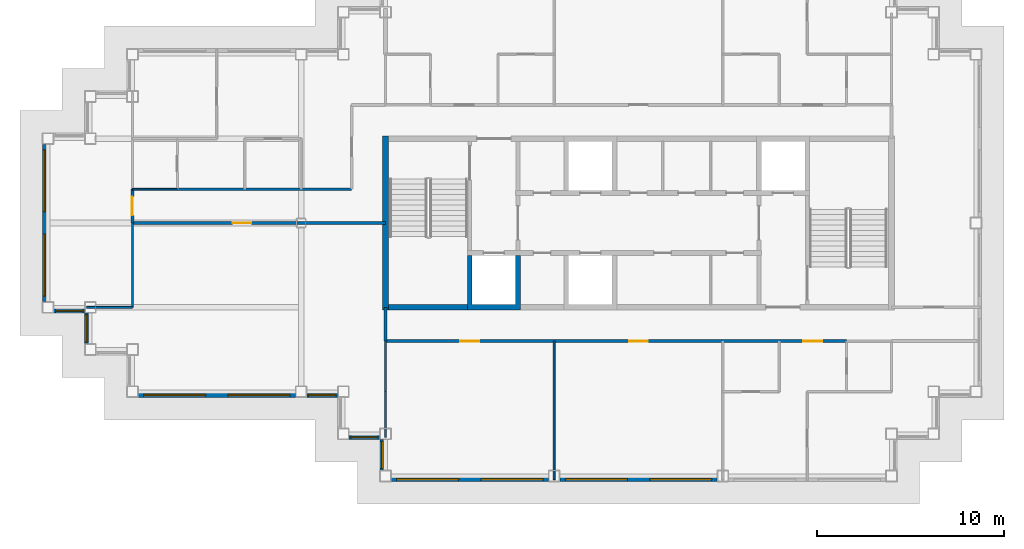
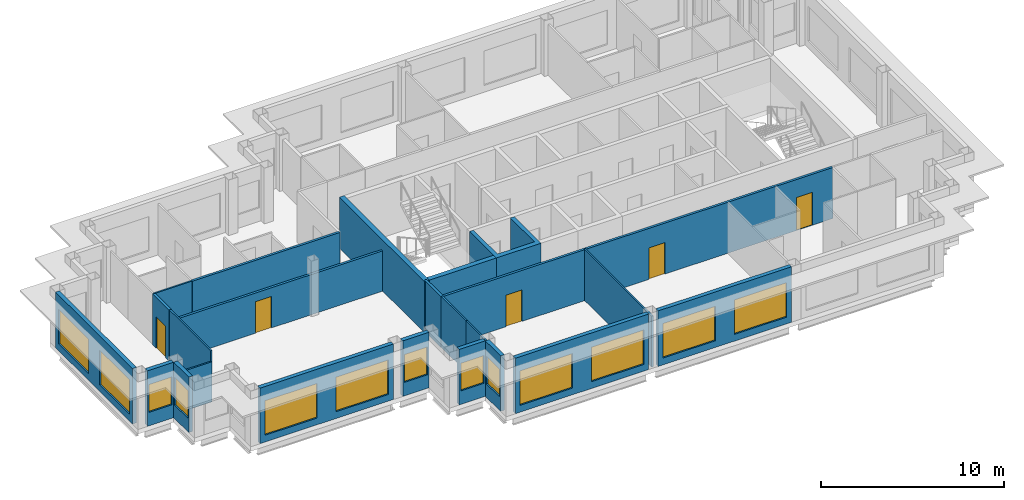
# One storey, part 2 of 11: 23 walls, 13 windows, 5 doors, 18 openings.
"""IFC4 building model written with IfcOpenShell, lengths in metres."""

from ifc_helpers import new_model, si_unit, direction, frame, frame_2d, origin, place, context, subcontext, project, spatial, polyline, rectangle, outline, extrude, material, layer, layer_set, type_object, element, fill, save


model = new_model("IFC4")

# Units and contexts
model_context = context("Model", 3, precision=1e-05, world=origin(), true_north=direction((0.0, 1.0)))
body_context = subcontext(model_context, "Body", "Model", "MODEL_VIEW")
ifc_project = project(units=[si_unit("LENGTHUNIT", "METRE"), si_unit("AREAUNIT", "SQUARE_METRE"), si_unit("VOLUMEUNIT", "CUBIC_METRE"), si_unit("PLANEANGLEUNIT", "RADIAN"), si_unit("MASSUNIT", "GRAM", prefix="KILO")], contexts=[model_context])

# Site, building, storey
site_placement = place(None, origin())
site = spatial("IfcSite", under=ifc_project, at=site_placement, CompositionType="ELEMENT")
building_placement = place(site_placement, origin())
building = spatial("IfcBuilding", under=site, at=building_placement, Name="Caravel Reach Hotel and Residences", CompositionType="ELEMENT")
storey_placement = place(building_placement, frame((0.0, 0.0, 260.10009765625)))
storey = spatial("IfcBuildingStorey", under=building, at=storey_placement, Name="L66", CompositionType="ELEMENT", Elevation=260.10009765625)

# Walls
ifc_material_1 = material(Name="Gypsum board on steel stud", Category="steel")
ifc_layer_1 = layer(ifc_material_1, 0.10009765625)
ifc_layer_set_1 = layer_set([ifc_layer_1], Name="Bathroom pod wall 100 mm")
wall_type_1 = type_object("IfcWallType", Name="Bathroom pod wall 100 mm", PredefinedType="PARTITIONING", material=ifc_layer_set_1)
wall_1_placement = place(storey_placement, frame((4.5, 28.800048828125, 0.0), z_axis=(0.0, 0.0, 1.0), x_axis=(1.0, 0.0, 0.0)))
element("IfcWall", 1, at=wall_1_placement, inside=storey, type_object=wall_type_1, Name="L66 wall w052", PredefinedType="PARTITIONING", context=body_context, shape_type="SweptSolid", body=[
    extrude(rectangle(XDim=2.39990234375, YDim=0.10009765625, at=frame_2d((1.199951171875, 0.0))), origin(), (0.0, 0.0, 1.0), 3.39990234375),
])
ifc_material_2 = material(Name="Concrete C60", Category="concrete")
ifc_layer_2 = layer(ifc_material_2, 0.300048828125)
ifc_layer_set_2 = layer_set([ifc_layer_2], Name="Core wall 300 mm EI 120")
wall_type_2 = type_object("IfcWallType", Name="Core wall 300 mm EI 120", PredefinedType="SHEAR", material=ifc_layer_set_2)
wall_2_placement = place(storey_placement, frame((18.14990234375, 22.5, 0.0), z_axis=(0.0, 0.0, 1.0), x_axis=(1.0, 0.0, 0.0)))
element("IfcWall", 2, at=wall_2_placement, inside=storey, type_object=wall_type_2, Name="L66 core wall S1", PredefinedType="SHEAR", context=body_context, shape_type="SweptSolid", body=[
    extrude(rectangle(XDim=4.22509765625, YDim=0.300048828125, at=frame_2d((2.112548828125, 0.0))), origin(), (0.0, 0.0, 1.0), 3.39990234375),
])
wall_3_placement = place(storey_placement, frame((18.0, 22.35009765625, 0.0), z_axis=(0.0, 0.0, 1.0), x_axis=(0.0, 1.0, 0.0)))
element("IfcWall", 3, at=wall_3_placement, inside=storey, type_object=wall_type_2, Name="L66 core wall W", PredefinedType="SHEAR", context=body_context, shape_type="SweptSolid", body=[
    extrude(rectangle(XDim=9.2998046875, YDim=0.300048828125, at=frame_2d((4.64990234375, 0.0))), origin(), (0.0, 0.0, 1.0), 3.39990234375),
])

# Wall, openings, doors
ifc_material_3 = material(Name="Gypsum board on steel stud, fire-rated", Category="steel")
ifc_layer_3 = layer(ifc_material_3, 0.14990234375)
ifc_layer_set_3 = layer_set([ifc_layer_3], Name="Corridor wall 150 mm EI 60")
wall_type_3 = type_object("IfcWallType", Name="Corridor wall 150 mm EI 60", PredefinedType="PARTITIONING", material=ifc_layer_set_3)
wall_4_placement = place(storey_placement, frame((18.0, 20.699951171875, 0.0), z_axis=(0.0, 0.0, 1.0), x_axis=(1.0, 0.0, 0.0)))
wall_4 = element("IfcWall", 4, at=wall_4_placement, inside=storey, type_object=wall_type_3, Name="L66 wall w001", PredefinedType="PARTITIONING", context=body_context, shape_type="SweptSolid", body=[
    extrude(rectangle(XDim=24.60009765625, YDim=0.14990234375, at=frame_2d((12.300048828125, 0.0))), origin(), (0.0, 0.0, 1.0), 3.39990234375),
])
opening_1_placement = place(wall_4_placement, frame((4.0, 0.0, 0.0)))
opening_1 = element("IfcOpeningElement", 5, at=opening_1_placement, cuts=wall_4, Name="Opening D66-031", PredefinedType="OPENING", context=body_context, shape_type="SweptSolid", body=[
    extrude(rectangle(XDim=1.0, YDim=2.10009765625, at=frame_2d((0.5, 1.050048828125))), frame((0.0, 0.0849609375, 0.0), z_axis=(0.0, -1.0, 0.0), x_axis=(1.0, 0.0, 0.0)), (0.0, 0.0, 1.0), 0.169921875),
])
opening_2_placement = place(wall_4_placement, frame((13.0, 0.0, 0.0)))
opening_2 = element("IfcOpeningElement", 6, at=opening_2_placement, cuts=wall_4, Name="Opening D66-032", PredefinedType="OPENING", context=body_context, shape_type="SweptSolid", body=[
    extrude(rectangle(XDim=1.0, YDim=2.10009765625, at=frame_2d((0.5, 1.050048828125))), frame((0.0, 0.0849609375, 0.0), z_axis=(0.0, -1.0, 0.0), x_axis=(1.0, 0.0, 0.0)), (0.0, 0.0, 1.0), 0.169921875),
])
opening_3_placement = place(wall_4_placement, frame((22.300048828125, 0.0, 0.0)))
opening_3 = element("IfcOpeningElement", 7, at=opening_3_placement, cuts=wall_4, Name="Opening D66-033", PredefinedType="OPENING", context=body_context, shape_type="SweptSolid", body=[
    extrude(rectangle(XDim=1.0, YDim=2.199951171875, at=frame_2d((0.5, 1.10009765625))), frame((0.0, 0.0849609375, 0.0), z_axis=(0.0, -1.0, 0.0), x_axis=(1.0, 0.0, 0.0)), (0.0, 0.0, 1.0), 0.169921875),
])
ifc_material_4 = material(Name="Steel fire door leaf", Category="steel")
door_type_1 = type_object("IfcDoorType", Name="Fire door 1000 x 2100 EI 60", OperationType="SINGLE_SWING_LEFT", PredefinedType="DOOR", material=ifc_material_4)
door_1_placement = place(opening_1_placement, origin())
door_1 = element("IfcDoor", 8, at=door_1_placement, inside=storey, type_object=door_type_1, Name="door D66-031", OperationType="SINGLE_SWING_LEFT", OverallHeight=2.10009765625, OverallWidth=1.0, PredefinedType="DOOR", context=body_context, shape_type="SweptSolid", body=[
    extrude(rectangle(XDim=1.0, YDim=2.10009765625, at=frame_2d((0.5, 1.050048828125))), frame((0.0, 0.02490234375, 0.0), z_axis=(0.0, -1.0, 0.0), x_axis=(1.0, 0.0, 0.0)), (0.0, 0.0, 1.0), 0.050048828125),
])
fill(opening_1, door_1)
door_2_placement = place(opening_2_placement, origin())
door_2 = element("IfcDoor", 9, at=door_2_placement, inside=storey, type_object=door_type_1, Name="door D66-032", OperationType="SINGLE_SWING_LEFT", OverallHeight=2.10009765625, OverallWidth=1.0, PredefinedType="DOOR", context=body_context, shape_type="SweptSolid", body=[
    extrude(rectangle(XDim=1.0, YDim=2.10009765625, at=frame_2d((0.5, 1.050048828125))), frame((0.0, 0.02490234375, 0.0), z_axis=(0.0, -1.0, 0.0), x_axis=(1.0, 0.0, 0.0)), (0.0, 0.0, 1.0), 0.050048828125),
])
fill(opening_2, door_2)
ifc_material_5 = material(Name="Steel fire door leaf", Category="steel")
door_type_2 = type_object("IfcDoorType", Name="Flat entrance door 1000 x 2200 EI 60", OperationType="SINGLE_SWING_LEFT", PredefinedType="DOOR", material=ifc_material_5)
door_3_placement = place(opening_3_placement, origin())
door_3 = element("IfcDoor", 10, at=door_3_placement, inside=storey, type_object=door_type_2, Name="door D66-033", OperationType="SINGLE_SWING_LEFT", OverallHeight=2.199951171875, OverallWidth=1.0, PredefinedType="DOOR", context=body_context, shape_type="SweptSolid", body=[
    extrude(rectangle(XDim=1.0, YDim=2.199951171875, at=frame_2d((0.5, 1.10009765625))), frame((0.0, 0.02490234375, 0.0), z_axis=(0.0, -1.0, 0.0), x_axis=(1.0, 0.0, 0.0)), (0.0, 0.0, 1.0), 0.050048828125),
])
fill(opening_3, door_3)

# Wall, opening, door
wall_5_placement = place(storey_placement, frame((4.5, 27.0, 0.0), z_axis=(0.0, 0.0, 1.0), x_axis=(1.0, 0.0, 0.0)))
wall_5 = element("IfcWall", 11, at=wall_5_placement, inside=storey, type_object=wall_type_3, Name="L66 wall w007", PredefinedType="PARTITIONING", context=body_context, shape_type="SweptSolid", body=[
    extrude(rectangle(XDim=13.5, YDim=0.14990234375, at=frame_2d((6.75, 0.0))), origin(), (0.0, 0.0, 1.0), 2.679931640625),
])
opening_4_placement = place(wall_5_placement, frame((5.35009765625, 0.0, 0.0)))
opening_4 = element("IfcOpeningElement", 12, at=opening_4_placement, cuts=wall_5, Name="Opening D66-030", PredefinedType="OPENING", context=body_context, shape_type="SweptSolid", body=[
    extrude(rectangle(XDim=1.0, YDim=2.10009765625, at=frame_2d((0.5, 1.050048828125))), frame((0.0, 0.0849609375, 0.0), z_axis=(0.0, -1.0, 0.0), x_axis=(1.0, 0.0, 0.0)), (0.0, 0.0, 1.0), 0.169921875),
])
door_4_placement = place(opening_4_placement, origin())
door_4 = element("IfcDoor", 13, at=door_4_placement, inside=storey, type_object=door_type_1, Name="door D66-030", OperationType="SINGLE_SWING_LEFT", OverallHeight=2.10009765625, OverallWidth=1.0, PredefinedType="DOOR", context=body_context, shape_type="SweptSolid", body=[
    extrude(rectangle(XDim=1.0, YDim=2.10009765625, at=frame_2d((0.5, 1.050048828125))), frame((0.0, 0.02490234375, 0.0), z_axis=(0.0, -1.0, 0.0), x_axis=(1.0, 0.0, 0.0)), (0.0, 0.0, 1.0), 0.050048828125),
])
fill(opening_4, door_4)

# Walls
wall_6_placement = place(storey_placement, frame((6.89990234375, 28.800048828125, 0.0), z_axis=(0.0, 0.0, 1.0), x_axis=(1.0, 0.0, 0.0)))
element("IfcWall", 14, at=wall_6_placement, inside=storey, type_object=wall_type_3, Name="L66 wall w008", PredefinedType="PARTITIONING", context=body_context, shape_type="SweptSolid", body=[
    extrude(rectangle(XDim=9.299072265625, YDim=0.14990234375, at=frame_2d((4.6494140625, 0.0))), origin(), (0.0, 0.0, 1.0), 3.39990234375),
])
wall_7_placement = place(storey_placement, frame((18.0, 20.699951171875, 0.0), z_axis=(0.0, 0.0, 1.0), x_axis=(0.0, 1.0, 0.0)))
element("IfcWall", 15, at=wall_7_placement, inside=storey, type_object=wall_type_3, Name="L66 wall w018", PredefinedType="PARTITIONING", context=body_context, shape_type="SweptSolid", body=[
    extrude(rectangle(XDim=1.800048828125, YDim=0.14990234375, at=frame_2d((0.89990234375, 0.0))), origin(), (0.0, 0.0, 1.0), 3.39990234375),
])

# Wall, opening, door
wall_8_placement = place(storey_placement, frame((4.5, 27.0, 0.0), z_axis=(0.0, 0.0, 1.0), x_axis=(0.0, 1.0, 0.0)))
wall_8 = element("IfcWall", 16, at=wall_8_placement, inside=storey, type_object=wall_type_3, Name="L66 wall w019", PredefinedType="PARTITIONING", context=body_context, shape_type="SweptSolid", body=[
    extrude(rectangle(XDim=1.800048828125, YDim=0.14990234375, at=frame_2d((0.89990234375, 0.0))), origin(), (0.0, 0.0, 1.0), 3.39990234375),
])
opening_5_placement = place(wall_8_placement, frame((0.39990234375, 0.0, 0.0)))
opening_5 = element("IfcOpeningElement", 17, at=opening_5_placement, cuts=wall_8, Name="Opening D66-037", PredefinedType="OPENING", context=body_context, shape_type="SweptSolid", body=[
    extrude(rectangle(XDim=1.0, YDim=2.10009765625, at=frame_2d((0.5, 1.050048828125))), frame((0.0, 0.0849609375, 0.0), z_axis=(0.0, -1.0, 0.0), x_axis=(1.0, 0.0, 0.0)), (0.0, 0.0, 1.0), 0.169921875),
])
door_5_placement = place(opening_5_placement, origin())
door_5 = element("IfcDoor", 18, at=door_5_placement, inside=storey, type_object=door_type_1, Name="door D66-037", OperationType="SINGLE_SWING_RIGHT", OverallHeight=2.10009765625, OverallWidth=1.0, PredefinedType="DOOR", context=body_context, shape_type="SweptSolid", body=[
    extrude(rectangle(XDim=1.0, YDim=2.10009765625, at=frame_2d((0.5, 1.050048828125))), frame((0.0, 0.02490234375, 0.0), z_axis=(0.0, -1.0, 0.0), x_axis=(1.0, 0.0, 0.0)), (0.0, 0.0, 1.0), 0.050048828125),
])
fill(opening_5, door_5)

# Wall, opening, window
ifc_material_6 = material(Name="Insulated rainscreen wall, aluminium cladding", Category="aluminium")
ifc_layer_4 = layer(ifc_material_6, 0.25)
ifc_layer_set_4 = layer_set([ifc_layer_4], Name="EW1 Tower rainscreen wall")
wall_type_4 = type_object("IfcWallType", Name="EW1 Tower rainscreen wall", PredefinedType="SOLIDWALL", material=ifc_layer_set_4)
wall_9_placement = place(storey_placement, frame((16.050048828125, 15.574951171875, 0.0), z_axis=(0.0, 0.0, 1.0), x_axis=(1.0, 0.0, 0.0)))
wall_9 = element("IfcWall", 19, at=wall_9_placement, inside=storey, type_object=wall_type_4, Name="External wall L66 S2.1", PredefinedType="SOLIDWALL", context=body_context, shape_type="SweptSolid", body=[
    extrude(rectangle(XDim=1.64990234375, YDim=0.25, at=frame_2d((0.824951171875, 0.0))), origin(), (0.0, 0.0, 1.0), 3.699951171875),
])
opening_6_placement = place(wall_9_placement, frame((0.10009765625, 0.0, 0.89990234375)))
opening_6 = element("IfcOpeningElement", 20, at=opening_6_placement, cuts=wall_9, Name="Opening WN25", PredefinedType="OPENING", context=body_context, shape_type="SweptSolid", body=[
    extrude(rectangle(XDim=1.449951171875, YDim=1.85009765625, at=frame_2d((0.72509765625, 0.925048828125))), frame((0.0, 0.135009765625, 0.0), z_axis=(0.0, -1.0, 0.0), x_axis=(1.0, 0.0, 0.0)), (0.0, 0.0, 1.0), 0.27001953125),
])
ifc_material_7 = material(Name="Dark low-e glazing in black aluminium frame", Category="aluminium")
window_type_1 = type_object("IfcWindowType", Name="Residence bedroom window 1450 x 1850", PartitioningType="SINGLE_PANEL", PredefinedType="WINDOW", material=ifc_material_7)
window_1_placement = place(opening_6_placement, origin())
window_1 = element("IfcWindow", 21, at=window_1_placement, inside=storey, type_object=window_type_1, Name="Window L66 S2.1.1", OverallHeight=1.85009765625, OverallWidth=1.449951171875, PartitioningType="SINGLE_PANEL", PredefinedType="WINDOW", context=body_context, shape_type="SweptSolid", body=[
    extrude(rectangle(XDim=1.449951171875, YDim=1.85009765625, at=frame_2d((0.72509765625, 0.925048828125))), frame((0.0, 0.030029296875, 0.0), z_axis=(0.0, -1.0, 0.0), x_axis=(1.0, 0.0, 0.0)), (0.0, 0.0, 1.0), 0.06005859375),
])
fill(opening_6, window_1)

wall_10_placement = place(storey_placement, frame((17.824951171875, 15.449951171875, 0.0), z_axis=(0.0, 0.0, 1.0), x_axis=(0.0, -1.0, 0.0)))
wall_10 = element("IfcWall", 22, at=wall_10_placement, inside=storey, type_object=wall_type_4, Name="External wall L66 W3.1", PredefinedType="SOLIDWALL", context=body_context, shape_type="SweptSolid", body=[
    extrude(rectangle(XDim=1.64990234375, YDim=0.25, at=frame_2d((0.824951171875, 0.0))), origin(), (0.0, 0.0, 1.0), 3.699951171875),
])
opening_7_placement = place(wall_10_placement, frame((0.10009765625, 0.0, 0.89990234375)))
opening_7 = element("IfcOpeningElement", 23, at=opening_7_placement, cuts=wall_10, Name="Opening WN25", PredefinedType="OPENING", context=body_context, shape_type="SweptSolid", body=[
    extrude(rectangle(XDim=1.449951171875, YDim=1.85009765625, at=frame_2d((0.72509765625, 0.925048828125))), frame((0.0, 0.135009765625, 0.0), z_axis=(0.0, -1.0, 0.0), x_axis=(1.0, 0.0, 0.0)), (0.0, 0.0, 1.0), 0.27001953125),
])
window_2_placement = place(opening_7_placement, origin())
window_2 = element("IfcWindow", 24, at=window_2_placement, inside=storey, type_object=window_type_1, Name="Window L66 W3.1.1", OverallHeight=1.85009765625, OverallWidth=1.449951171875, PartitioningType="SINGLE_PANEL", PredefinedType="WINDOW", context=body_context, shape_type="SweptSolid", body=[
    extrude(rectangle(XDim=1.449951171875, YDim=1.85009765625, at=frame_2d((0.72509765625, 0.925048828125))), frame((0.0, 0.030029296875, 0.0), z_axis=(0.0, -1.0, 0.0), x_axis=(1.0, 0.0, 0.0)), (0.0, 0.0, 1.0), 0.06005859375),
])
fill(opening_7, window_2)

# Wall, openings, windows
wall_11_placement = place(storey_placement, frame((18.300048828125, 13.324951171875, 0.0), z_axis=(0.0, 0.0, 1.0), x_axis=(1.0, 0.0, 0.0)))
wall_11 = element("IfcWall", 25, at=wall_11_placement, inside=storey, type_object=wall_type_4, Name="External wall L66 S4.1", PredefinedType="SOLIDWALL", context=body_context, shape_type="SweptSolid", body=[
    extrude(rectangle(XDim=8.39990234375, YDim=0.25, at=frame_2d((4.199951171875, 0.0))), origin(), (0.0, 0.0, 1.0), 3.699951171875),
])
opening_8_placement = place(wall_11_placement, frame((0.300048828125, 0.0, 0.449951171875)))
opening_8 = element("IfcOpeningElement", 26, at=opening_8_placement, cuts=wall_11, Name="Opening WN15", PredefinedType="OPENING", context=body_context, shape_type="SweptSolid", body=[
    extrude(rectangle(XDim=3.300048828125, YDim=2.300048828125, at=frame_2d((1.64990234375, 1.14990234375))), frame((0.0, 0.135009765625, 0.0), z_axis=(0.0, -1.0, 0.0), x_axis=(1.0, 0.0, 0.0)), (0.0, 0.0, 1.0), 0.27001953125),
])
opening_9_placement = place(wall_11_placement, frame((4.800048828125, 0.0, 0.449951171875)))
opening_9 = element("IfcOpeningElement", 27, at=opening_9_placement, cuts=wall_11, Name="Opening WN15", PredefinedType="OPENING", context=body_context, shape_type="SweptSolid", body=[
    extrude(rectangle(XDim=3.300048828125, YDim=2.300048828125, at=frame_2d((1.64990234375, 1.14990234375))), frame((0.0, 0.135009765625, 0.0), z_axis=(0.0, -1.0, 0.0), x_axis=(1.0, 0.0, 0.0)), (0.0, 0.0, 1.0), 0.27001953125),
])
ifc_material_8 = material(Name="Dark low-e glazing in black aluminium frame", Category="aluminium")
window_type_2 = type_object("IfcWindowType", Name="Residence living window 3300 x 2300", PartitioningType="SINGLE_PANEL", PredefinedType="WINDOW", material=ifc_material_8)
window_3_placement = place(opening_8_placement, origin())
window_3 = element("IfcWindow", 28, at=window_3_placement, inside=storey, type_object=window_type_2, Name="Window L66 S4.1.1", OverallHeight=2.300048828125, OverallWidth=3.300048828125, PartitioningType="SINGLE_PANEL", PredefinedType="WINDOW", context=body_context, shape_type="SweptSolid", body=[
    extrude(rectangle(XDim=3.300048828125, YDim=2.300048828125, at=frame_2d((1.64990234375, 1.14990234375))), frame((0.0, 0.030029296875, 0.0), z_axis=(0.0, -1.0, 0.0), x_axis=(1.0, 0.0, 0.0)), (0.0, 0.0, 1.0), 0.06005859375),
])
fill(opening_8, window_3)
window_4_placement = place(opening_9_placement, origin())
window_4 = element("IfcWindow", 29, at=window_4_placement, inside=storey, type_object=window_type_2, Name="Window L66 S4.1.2", OverallHeight=2.300048828125, OverallWidth=3.300048828125, PartitioningType="SINGLE_PANEL", PredefinedType="WINDOW", context=body_context, shape_type="SweptSolid", body=[
    extrude(rectangle(XDim=3.300048828125, YDim=2.300048828125, at=frame_2d((1.64990234375, 1.14990234375))), frame((0.0, 0.030029296875, 0.0), z_axis=(0.0, -1.0, 0.0), x_axis=(1.0, 0.0, 0.0)), (0.0, 0.0, 1.0), 0.06005859375),
])
fill(opening_9, window_4)

wall_12_placement = place(storey_placement, frame((27.300048828125, 13.324951171875, 0.0), z_axis=(0.0, 0.0, 1.0), x_axis=(1.0, 0.0, 0.0)))
wall_12 = element("IfcWall", 30, at=wall_12_placement, inside=storey, type_object=wall_type_4, Name="External wall L66 S4.2", PredefinedType="SOLIDWALL", context=body_context, shape_type="SweptSolid", body=[
    extrude(rectangle(XDim=8.39990234375, YDim=0.25, at=frame_2d((4.199951171875, 0.0))), origin(), (0.0, 0.0, 1.0), 3.699951171875),
])
opening_10_placement = place(wall_12_placement, frame((0.300048828125, 0.0, 0.449951171875)))
opening_10 = element("IfcOpeningElement", 31, at=opening_10_placement, cuts=wall_12, Name="Opening WN15", PredefinedType="OPENING", context=body_context, shape_type="SweptSolid", body=[
    extrude(rectangle(XDim=3.300048828125, YDim=2.300048828125, at=frame_2d((1.64990234375, 1.14990234375))), frame((0.0, 0.135009765625, 0.0), z_axis=(0.0, -1.0, 0.0), x_axis=(1.0, 0.0, 0.0)), (0.0, 0.0, 1.0), 0.27001953125),
])
opening_11_placement = place(wall_12_placement, frame((4.800048828125, 0.0, 0.449951171875)))
opening_11 = element("IfcOpeningElement", 32, at=opening_11_placement, cuts=wall_12, Name="Opening WN15", PredefinedType="OPENING", context=body_context, shape_type="SweptSolid", body=[
    extrude(rectangle(XDim=3.300048828125, YDim=2.300048828125, at=frame_2d((1.64990234375, 1.14990234375))), frame((0.0, 0.135009765625, 0.0), z_axis=(0.0, -1.0, 0.0), x_axis=(1.0, 0.0, 0.0)), (0.0, 0.0, 1.0), 0.27001953125),
])
window_5_placement = place(opening_10_placement, origin())
window_5 = element("IfcWindow", 33, at=window_5_placement, inside=storey, type_object=window_type_2, Name="Window L66 S4.2.1", OverallHeight=2.300048828125, OverallWidth=3.300048828125, PartitioningType="SINGLE_PANEL", PredefinedType="WINDOW", context=body_context, shape_type="SweptSolid", body=[
    extrude(rectangle(XDim=3.300048828125, YDim=2.300048828125, at=frame_2d((1.64990234375, 1.14990234375))), frame((0.0, 0.030029296875, 0.0), z_axis=(0.0, -1.0, 0.0), x_axis=(1.0, 0.0, 0.0)), (0.0, 0.0, 1.0), 0.06005859375),
])
fill(opening_10, window_5)
window_6_placement = place(opening_11_placement, origin())
window_6 = element("IfcWindow", 34, at=window_6_placement, inside=storey, type_object=window_type_2, Name="Window L66 S4.2.2", OverallHeight=2.300048828125, OverallWidth=3.300048828125, PartitioningType="SINGLE_PANEL", PredefinedType="WINDOW", context=body_context, shape_type="SweptSolid", body=[
    extrude(rectangle(XDim=3.300048828125, YDim=2.300048828125, at=frame_2d((1.64990234375, 1.14990234375))), frame((0.0, 0.030029296875, 0.0), z_axis=(0.0, -1.0, 0.0), x_axis=(1.0, 0.0, 0.0)), (0.0, 0.0, 1.0), 0.06005859375),
])
fill(opening_11, window_6)

wall_13_placement = place(storey_placement, frame((-0.175048828125, 31.199951171875, 0.0), z_axis=(0.0, 0.0, 1.0), x_axis=(0.0, -1.0, 0.0)))
wall_13 = element("IfcWall", 35, at=wall_13_placement, inside=storey, type_object=wall_type_4, Name="External wall L66 W23.1", PredefinedType="SOLIDWALL", context=body_context, shape_type="SweptSolid", body=[
    extrude(rectangle(XDim=8.39990234375, YDim=0.25, at=frame_2d((4.199951171875, 0.0))), origin(), (0.0, 0.0, 1.0), 3.699951171875),
])
opening_12_placement = place(wall_13_placement, frame((0.300048828125, 0.0, 0.449951171875)))
opening_12 = element("IfcOpeningElement", 36, at=opening_12_placement, cuts=wall_13, Name="Opening WN15", PredefinedType="OPENING", context=body_context, shape_type="SweptSolid", body=[
    extrude(rectangle(XDim=3.300048828125, YDim=2.300048828125, at=frame_2d((1.64990234375, 1.14990234375))), frame((0.0, 0.135009765625, 0.0), z_axis=(0.0, -1.0, 0.0), x_axis=(1.0, 0.0, 0.0)), (0.0, 0.0, 1.0), 0.27001953125),
])
opening_13_placement = place(wall_13_placement, frame((4.800048828125, 0.0, 0.449951171875)))
opening_13 = element("IfcOpeningElement", 37, at=opening_13_placement, cuts=wall_13, Name="Opening WN15", PredefinedType="OPENING", context=body_context, shape_type="SweptSolid", body=[
    extrude(rectangle(XDim=3.300048828125, YDim=2.300048828125, at=frame_2d((1.64990234375, 1.14990234375))), frame((0.0, 0.135009765625, 0.0), z_axis=(0.0, -1.0, 0.0), x_axis=(1.0, 0.0, 0.0)), (0.0, 0.0, 1.0), 0.27001953125),
])
window_7_placement = place(opening_12_placement, origin())
window_7 = element("IfcWindow", 38, at=window_7_placement, inside=storey, type_object=window_type_2, Name="Window L66 W23.1.1", OverallHeight=2.300048828125, OverallWidth=3.300048828125, PartitioningType="SINGLE_PANEL", PredefinedType="WINDOW", context=body_context, shape_type="SweptSolid", body=[
    extrude(rectangle(XDim=3.300048828125, YDim=2.300048828125, at=frame_2d((1.64990234375, 1.14990234375))), frame((0.0, 0.030029296875, 0.0), z_axis=(0.0, -1.0, 0.0), x_axis=(1.0, 0.0, 0.0)), (0.0, 0.0, 1.0), 0.06005859375),
])
fill(opening_12, window_7)
window_8_placement = place(opening_13_placement, origin())
window_8 = element("IfcWindow", 39, at=window_8_placement, inside=storey, type_object=window_type_2, Name="Window L66 W23.1.2", OverallHeight=2.300048828125, OverallWidth=3.300048828125, PartitioningType="SINGLE_PANEL", PredefinedType="WINDOW", context=body_context, shape_type="SweptSolid", body=[
    extrude(rectangle(XDim=3.300048828125, YDim=2.300048828125, at=frame_2d((1.64990234375, 1.14990234375))), frame((0.0, 0.030029296875, 0.0), z_axis=(0.0, -1.0, 0.0), x_axis=(1.0, 0.0, 0.0)), (0.0, 0.0, 1.0), 0.06005859375),
])
fill(opening_13, window_8)

# Wall, opening, window
wall_14_placement = place(storey_placement, frame((0.300048828125, 22.324951171875, 0.0), z_axis=(0.0, 0.0, 1.0), x_axis=(1.0, 0.0, 0.0)))
wall_14 = element("IfcWall", 40, at=wall_14_placement, inside=storey, type_object=wall_type_4, Name="External wall L66 S24.1", PredefinedType="SOLIDWALL", context=body_context, shape_type="SweptSolid", body=[
    extrude(rectangle(XDim=1.64990234375, YDim=0.25, at=frame_2d((0.824951171875, 0.0))), origin(), (0.0, 0.0, 1.0), 3.699951171875),
])
opening_14_placement = place(wall_14_placement, frame((0.10009765625, 0.0, 0.89990234375)))
opening_14 = element("IfcOpeningElement", 41, at=opening_14_placement, cuts=wall_14, Name="Opening WN25", PredefinedType="OPENING", context=body_context, shape_type="SweptSolid", body=[
    extrude(rectangle(XDim=1.449951171875, YDim=1.85009765625, at=frame_2d((0.72509765625, 0.925048828125))), frame((0.0, 0.135009765625, 0.0), z_axis=(0.0, -1.0, 0.0), x_axis=(1.0, 0.0, 0.0)), (0.0, 0.0, 1.0), 0.27001953125),
])
window_9_placement = place(opening_14_placement, origin())
window_9 = element("IfcWindow", 42, at=window_9_placement, inside=storey, type_object=window_type_1, Name="Window L66 S24.1.1", OverallHeight=1.85009765625, OverallWidth=1.449951171875, PartitioningType="SINGLE_PANEL", PredefinedType="WINDOW", context=body_context, shape_type="SweptSolid", body=[
    extrude(rectangle(XDim=1.449951171875, YDim=1.85009765625, at=frame_2d((0.72509765625, 0.925048828125))), frame((0.0, 0.030029296875, 0.0), z_axis=(0.0, -1.0, 0.0), x_axis=(1.0, 0.0, 0.0)), (0.0, 0.0, 1.0), 0.06005859375),
])
fill(opening_14, window_9)

wall_15_placement = place(storey_placement, frame((2.074951171875, 22.199951171875, 0.0), z_axis=(0.0, 0.0, 1.0), x_axis=(0.0, -1.0, 0.0)))
wall_15 = element("IfcWall", 43, at=wall_15_placement, inside=storey, type_object=wall_type_4, Name="External wall L66 W25.1", PredefinedType="SOLIDWALL", context=body_context, shape_type="SweptSolid", body=[
    extrude(rectangle(XDim=1.64990234375, YDim=0.25, at=frame_2d((0.824951171875, 0.0))), origin(), (0.0, 0.0, 1.0), 3.699951171875),
])
opening_15_placement = place(wall_15_placement, frame((0.10009765625, 0.0, 0.89990234375)))
opening_15 = element("IfcOpeningElement", 44, at=opening_15_placement, cuts=wall_15, Name="Opening WN25", PredefinedType="OPENING", context=body_context, shape_type="SweptSolid", body=[
    extrude(rectangle(XDim=1.449951171875, YDim=1.85009765625, at=frame_2d((0.72509765625, 0.925048828125))), frame((0.0, 0.135009765625, 0.0), z_axis=(0.0, -1.0, 0.0), x_axis=(1.0, 0.0, 0.0)), (0.0, 0.0, 1.0), 0.27001953125),
])
window_10_placement = place(opening_15_placement, origin())
window_10 = element("IfcWindow", 45, at=window_10_placement, inside=storey, type_object=window_type_1, Name="Window L66 W25.1.1", OverallHeight=1.85009765625, OverallWidth=1.449951171875, PartitioningType="SINGLE_PANEL", PredefinedType="WINDOW", context=body_context, shape_type="SweptSolid", body=[
    extrude(rectangle(XDim=1.449951171875, YDim=1.85009765625, at=frame_2d((0.72509765625, 0.925048828125))), frame((0.0, 0.030029296875, 0.0), z_axis=(0.0, -1.0, 0.0), x_axis=(1.0, 0.0, 0.0)), (0.0, 0.0, 1.0), 0.06005859375),
])
fill(opening_15, window_10)

# Wall, openings, windows
wall_16_placement = place(storey_placement, frame((4.800048828125, 17.824951171875, 0.0), z_axis=(0.0, 0.0, 1.0), x_axis=(1.0, 0.0, 0.0)))
wall_16 = element("IfcWall", 46, at=wall_16_placement, inside=storey, type_object=wall_type_4, Name="External wall L66 S28.1", PredefinedType="SOLIDWALL", context=body_context, shape_type="SweptSolid", body=[
    extrude(rectangle(XDim=8.39990234375, YDim=0.25, at=frame_2d((4.199951171875, 0.0))), origin(), (0.0, 0.0, 1.0), 3.699951171875),
])
opening_16_placement = place(wall_16_placement, frame((0.300048828125, 0.0, 0.449951171875)))
opening_16 = element("IfcOpeningElement", 47, at=opening_16_placement, cuts=wall_16, Name="Opening WN15", PredefinedType="OPENING", context=body_context, shape_type="SweptSolid", body=[
    extrude(rectangle(XDim=3.300048828125, YDim=2.300048828125, at=frame_2d((1.64990234375, 1.14990234375))), frame((0.0, 0.135009765625, 0.0), z_axis=(0.0, -1.0, 0.0), x_axis=(1.0, 0.0, 0.0)), (0.0, 0.0, 1.0), 0.27001953125),
])
opening_17_placement = place(wall_16_placement, frame((4.800048828125, 0.0, 0.449951171875)))
opening_17 = element("IfcOpeningElement", 48, at=opening_17_placement, cuts=wall_16, Name="Opening WN15", PredefinedType="OPENING", context=body_context, shape_type="SweptSolid", body=[
    extrude(rectangle(XDim=3.300048828125, YDim=2.300048828125, at=frame_2d((1.64990234375, 1.14990234375))), frame((0.0, 0.135009765625, 0.0), z_axis=(0.0, -1.0, 0.0), x_axis=(1.0, 0.0, 0.0)), (0.0, 0.0, 1.0), 0.27001953125),
])
window_11_placement = place(opening_16_placement, origin())
window_11 = element("IfcWindow", 49, at=window_11_placement, inside=storey, type_object=window_type_2, Name="Window L66 S28.1.1", OverallHeight=2.300048828125, OverallWidth=3.300048828125, PartitioningType="SINGLE_PANEL", PredefinedType="WINDOW", context=body_context, shape_type="SweptSolid", body=[
    extrude(rectangle(XDim=3.300048828125, YDim=2.300048828125, at=frame_2d((1.64990234375, 1.14990234375))), frame((0.0, 0.030029296875, 0.0), z_axis=(0.0, -1.0, 0.0), x_axis=(1.0, 0.0, 0.0)), (0.0, 0.0, 1.0), 0.06005859375),
])
fill(opening_16, window_11)
window_12_placement = place(opening_17_placement, origin())
window_12 = element("IfcWindow", 50, at=window_12_placement, inside=storey, type_object=window_type_2, Name="Window L66 S28.1.2", OverallHeight=2.300048828125, OverallWidth=3.300048828125, PartitioningType="SINGLE_PANEL", PredefinedType="WINDOW", context=body_context, shape_type="SweptSolid", body=[
    extrude(rectangle(XDim=3.300048828125, YDim=2.300048828125, at=frame_2d((1.64990234375, 1.14990234375))), frame((0.0, 0.030029296875, 0.0), z_axis=(0.0, -1.0, 0.0), x_axis=(1.0, 0.0, 0.0)), (0.0, 0.0, 1.0), 0.06005859375),
])
fill(opening_17, window_12)

# Wall, opening, window
wall_17_placement = place(storey_placement, frame((13.800048828125, 17.824951171875, 0.0), z_axis=(0.0, 0.0, 1.0), x_axis=(1.0, 0.0, 0.0)))
wall_17 = element("IfcWall", 51, at=wall_17_placement, inside=storey, type_object=wall_type_4, Name="External wall L66 S28.2", PredefinedType="SOLIDWALL", context=body_context, shape_type="SweptSolid", body=[
    extrude(rectangle(XDim=1.64990234375, YDim=0.25, at=frame_2d((0.824951171875, 0.0))), origin(), (0.0, 0.0, 1.0), 3.699951171875),
])
opening_18_placement = place(wall_17_placement, frame((0.10009765625, 0.0, 0.89990234375)))
opening_18 = element("IfcOpeningElement", 52, at=opening_18_placement, cuts=wall_17, Name="Opening WN25", PredefinedType="OPENING", context=body_context, shape_type="SweptSolid", body=[
    extrude(rectangle(XDim=1.449951171875, YDim=1.85009765625, at=frame_2d((0.72509765625, 0.925048828125))), frame((0.0, 0.135009765625, 0.0), z_axis=(0.0, -1.0, 0.0), x_axis=(1.0, 0.0, 0.0)), (0.0, 0.0, 1.0), 0.27001953125),
])
window_13_placement = place(opening_18_placement, origin())
window_13 = element("IfcWindow", 53, at=window_13_placement, inside=storey, type_object=window_type_1, Name="Window L66 S28.2.1", OverallHeight=1.85009765625, OverallWidth=1.449951171875, PartitioningType="SINGLE_PANEL", PredefinedType="WINDOW", context=body_context, shape_type="SweptSolid", body=[
    extrude(rectangle(XDim=1.449951171875, YDim=1.85009765625, at=frame_2d((0.72509765625, 0.925048828125))), frame((0.0, 0.030029296875, 0.0), z_axis=(0.0, -1.0, 0.0), x_axis=(1.0, 0.0, 0.0)), (0.0, 0.0, 1.0), 0.06005859375),
])
fill(opening_18, window_13)

# Walls
ifc_material_9 = material(Name="Gypsum board on steel stud", Category="steel")
ifc_layer_5 = layer(ifc_material_9, 0.10009765625)
ifc_layer_set_5 = layer_set([ifc_layer_5], Name="Partition 100 mm")
wall_type_5 = type_object("IfcWallType", Name="Partition 100 mm", PredefinedType="PARTITIONING", material=ifc_layer_set_5)
wall_18_placement = place(storey_placement, frame((2.06005859375, 22.5, 0.0), z_axis=(0.0, 0.0, 1.0), x_axis=(1.0, 0.0, 0.0)))
element("IfcWall", 54, at=wall_18_placement, inside=storey, type_object=wall_type_5, Name="L66 wall w023", PredefinedType="PARTITIONING", context=body_context, shape_type="SweptSolid", body=[
    extrude(rectangle(XDim=2.43896484375, YDim=0.10009765625, at=frame_2d((1.219482421875, 0.0))), origin(), (0.0, 0.0, 1.0), 2.679931640625),
])
wall_19_placement = place(storey_placement, frame((18.0, 15.56005859375, 0.0), z_axis=(0.0, 0.0, 1.0), x_axis=(0.0, 1.0, 0.0)))
element("IfcWall", 55, at=wall_19_placement, inside=storey, type_object=wall_type_5, Name="L66 wall w031", PredefinedType="PARTITIONING", context=body_context, shape_type="SweptSolid", body=[
    extrude(rectangle(XDim=2.43896484375, YDim=0.10009765625, at=frame_2d((1.219482421875, 0.0))), origin(), (0.0, 0.0, 1.0), 3.39990234375),
])
wall_20_placement = place(storey_placement, frame((18.0, 18.0, 0.0), z_axis=(0.0, 0.0, 1.0), x_axis=(0.0, 1.0, 0.0)))
element("IfcWall", 56, at=wall_20_placement, inside=storey, type_object=wall_type_5, Name="L66 wall w032", PredefinedType="PARTITIONING", context=body_context, shape_type="SweptSolid", body=[
    extrude(rectangle(XDim=2.699951171875, YDim=0.10009765625, at=frame_2d((1.35009765625, 0.0))), origin(), (0.0, 0.0, 1.0), 3.39990234375),
])
wall_21_placement = place(storey_placement, frame((27.0, 13.31005859375, 0.0), z_axis=(0.0, 0.0, 1.0), x_axis=(0.0, 1.0, 0.0)))
element("IfcWall", 57, at=wall_21_placement, inside=storey, type_object=wall_type_5, Name="L66 wall w036", PredefinedType="PARTITIONING", context=body_context, shape_type="SweptSolid", body=[
    extrude(rectangle(XDim=7.389892578125, YDim=0.10009765625, at=frame_2d((3.69482421875, 0.0))), origin(), (0.0, 0.0, 1.0), 3.39990234375),
])
wall_22_placement = place(storey_placement, frame((4.5, 22.5, 0.0), z_axis=(0.0, 0.0, 1.0), x_axis=(0.0, 1.0, 0.0)))
element("IfcWall", 58, at=wall_22_placement, inside=storey, type_object=wall_type_5, Name="L66 wall w044", PredefinedType="PARTITIONING", context=body_context, shape_type="SweptSolid", body=[
    extrude(rectangle(XDim=4.5, YDim=0.10009765625, at=frame_2d((2.25, 0.0))), origin(), (0.0, 0.0, 1.0), 3.39990234375),
])
ifc_material_10 = material(Name="Concrete C60", Category="concrete")
ifc_layer_6 = layer(ifc_material_10, 0.25)
ifc_layer_set_6 = layer_set([ifc_layer_6], Name="Shaft wall 250 mm EI 120")
wall_type_6 = type_object("IfcWallType", Name="Shaft wall 250 mm EI 120", PredefinedType="SHEAR", material=ifc_layer_set_6)
wall_23_placement = place(storey_placement, origin())
element("IfcWall", 59, at=wall_23_placement, inside=storey, type_object=wall_type_6, Name="L66 lift shaft wall S1", PredefinedType="SHEAR", context=body_context, shape_type="SweptSolid", body=[
    extrude(outline(polyline([(22.375, 22.35009765625), (25.196533203125, 22.35009765625), (25.196533203125, 25.27490234375), (24.946533203125, 25.27490234375), (24.946533203125, 22.64990234375), (22.625, 22.64990234375), (22.625, 25.27490234375), (22.375, 25.27490234375), (22.375, 22.35009765625)])), origin(), (0.0, 0.0, 1.0), 3.39990234375),
])

save(model, "model.ifc")
